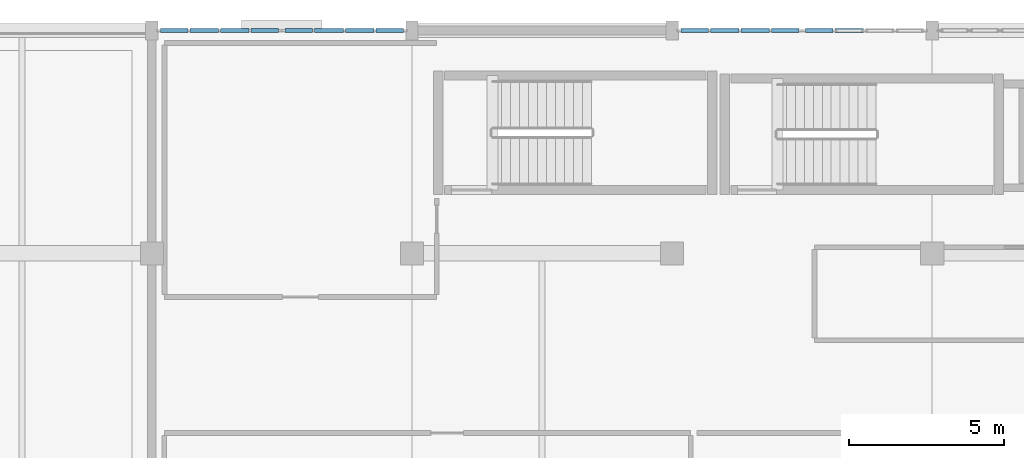
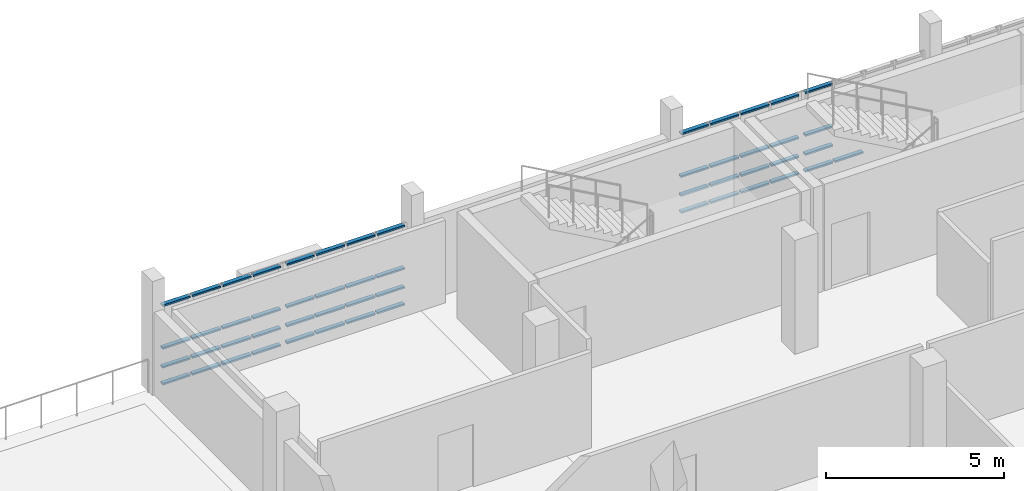
# One storey, part 152 of 188: 53 members, 4 elements without a shape of their own.
"""IFC4 building model written with IfcOpenShell, lengths in metres."""

import ifcopenshell
import ifcopenshell.guid

model = None  # the IFC model being written
_history = None  # IfcOwnerHistory: only IFC2X3 demands one
_inside = {}  # id of a spatial element -> (the spatial element, [elements in it])
_under = {}  # id of a project, library or spatial element -> (it, [spatial elements below it])
_declared = {}  # id of a project -> (the project, [libraries it declares])
_typed = {}  # id of a type object -> (the type object, [elements of that type])
_made_of = {}  # id of a material, layer set ... -> (it, [elements and type objects made of it])


def new_model(schema):
    """Start an empty IFC model of exactly this schema.

    Asked for "IFC4X3", IfcOpenShell would pick the latest addendum, in which some entities
    have other attributes; the version numbers below select the first issue.
    IFC2X3 requires an IfcOwnerHistory on every rooted entity: one is made here for all.
    """
    global model, _history
    if schema == "IFC4X3":
        model = ifcopenshell.file(schema_version=(4, 3, 0, 0))
    else:
        model = ifcopenshell.file(schema=schema)
    _inside.clear()
    _under.clear()
    _declared.clear()
    _typed.clear()
    _made_of.clear()
    _history = None
    if model.schema == "IFC2X3":
        org = make("IfcOrganization", Name="unknown")
        user = make(
            "IfcPersonAndOrganization",
            ThePerson=make("IfcPerson", FamilyName="unknown"),
            TheOrganization=org,
        )
        app = make(
            "IfcApplication",
            ApplicationDeveloper=org,
            Version="unknown",
            ApplicationFullName="unknown",
            ApplicationIdentifier="unknown",
        )
        _history = make(
            "IfcOwnerHistory",
            OwningUser=user,
            OwningApplication=app,
            ChangeAction="ADDED",
            CreationDate=0,
        )
    return model


def make(cls, **values):
    """One entity of the class cls with the attributes given. An attribute that is None is left unset."""
    return model.create_entity(
        cls, **{name: value for name, value in values.items() if value is not None}
    )


def rooted(cls, **values):
    """An entity with a GlobalId (a new one), such as an element, a storey or a relation."""
    return make(cls, GlobalId=ifcopenshell.guid.new(), OwnerHistory=_history, **values)


def si_unit(unit_type, name, prefix=None):
    """IfcSIUnit, for example si_unit("LENGTHUNIT", "METRE", prefix="MILLI")."""
    return make("IfcSIUnit", UnitType=unit_type, Prefix=prefix, Name=name)


def assignment(units):
    """IfcUnitAssignment: the units of a project."""
    return None if units is None else make("IfcUnitAssignment", Units=units)


def point(xyz):
    """IfcCartesianPoint."""
    return None if xyz is None else make("IfcCartesianPoint", Coordinates=xyz)


def direction(xyz):
    """IfcDirection."""
    return None if xyz is None else make("IfcDirection", DirectionRatios=xyz)


def frame(location, z_axis=None, x_axis=None):
    """IfcAxis2Placement3D, a coordinate frame: its origin and axes. An axis left out is left unset."""
    return make(
        "IfcAxis2Placement3D",
        Location=point(location),
        Axis=direction(z_axis),
        RefDirection=direction(x_axis),
    )


def frame_2d(location, x_axis=None):
    """IfcAxis2Placement2D, a coordinate frame in the plane: its origin and x axis."""
    return make(
        "IfcAxis2Placement2D", Location=point(location), RefDirection=direction(x_axis)
    )


def origin():
    """The frame at (0, 0, 0) with its axes left unset."""
    return frame((0.0, 0.0, 0.0))


def origin_2d():
    """The frame at (0, 0) in the plane with its x axis left unset."""
    return frame_2d((0.0, 0.0))


def place(relative_to, where):
    """IfcLocalPlacement: puts the frame where relative to a parent placement (None: the world)."""
    return make(
        "IfcLocalPlacement", PlacementRelTo=relative_to, RelativePlacement=where
    )


def context(
    kind, dimensions, precision=None, world=None, true_north=None, identifier=None
):
    """IfcGeometricRepresentationContext, for example the 3D "Model" context."""
    return make(
        "IfcGeometricRepresentationContext",
        ContextIdentifier=identifier,
        ContextType=kind,
        CoordinateSpaceDimension=dimensions,
        Precision=precision,
        WorldCoordinateSystem=world,
        TrueNorth=true_north,
    )


def subcontext(parent, identifier, kind, view, scale=None):
    """IfcGeometricRepresentationSubContext, for example "Body" below "Model"."""
    return make(
        "IfcGeometricRepresentationSubContext",
        ContextIdentifier=identifier,
        ContextType=kind,
        ParentContext=parent,
        TargetScale=scale,
        TargetView=view,
    )


def project(units=None, contexts=None):
    """IfcProject with its units and contexts."""
    return rooted(
        "IfcProject",
        Name="project",
        RepresentationContexts=contexts,
        UnitsInContext=assignment(units),
    )


def spatial(cls, under=None, at=None, **own):
    """A site, building, storey or space (cls), placed at a placement, below another one or the project."""
    s = rooted(cls, ObjectPlacement=at, **own)
    if under is not None:
        _under.setdefault(under.id(), (under, []))[1].append(s)
    return s


def profile(cls, at=None, kind="AREA", **sizes):
    """A parametric profile (cls). Its sizes go by their IFC names, for example OverallWidth=200.0."""
    return make(cls, ProfileType=kind, Position=at, **sizes)


def hollow_rectangle(**sizes):
    """IfcRectangleHollowProfileDef."""
    return profile("IfcRectangleHollowProfileDef", **sizes)


def extrude(swept, where, along, depth):
    """IfcExtrudedAreaSolid: the profile swept, set in the frame where, extruded along a direction by depth."""
    return make(
        "IfcExtrudedAreaSolid",
        SweptArea=swept,
        Position=where,
        ExtrudedDirection=direction(along),
        Depth=depth,
    )


def shape(context_of_items, identifier, shape_type, items):
    """IfcShapeRepresentation: the items that make up one representation, for example the "Body"."""
    return make(
        "IfcShapeRepresentation",
        ContextOfItems=context_of_items,
        RepresentationIdentifier=identifier,
        RepresentationType=shape_type,
        Items=items,
    )


def material(Name=None, Category=None):
    """IfcMaterial."""
    return make("IfcMaterial", Name=Name, Category=Category)


def layer(
    of_material, thickness, ventilated=None, Name=None, Category=None, Priority=None
):
    """IfcMaterialLayer: one layer of a wall or slab, of a material (None: an air gap)."""
    return make(
        "IfcMaterialLayer",
        Material=of_material,
        LayerThickness=thickness,
        IsVentilated=ventilated,
        Name=Name,
        Category=Category,
        Priority=Priority,
    )


def layer_set(layers, Name=None):
    """IfcMaterialLayerSet."""
    return make("IfcMaterialLayerSet", MaterialLayers=layers, LayerSetName=Name)


def material_profile(
    of_material, cross_section, Name=None, Category=None, Priority=None
):
    """IfcMaterialProfile: a cross section and its material."""
    return make(
        "IfcMaterialProfile",
        Name=Name,
        Material=of_material,
        Profile=cross_section,
        Priority=Priority,
        Category=Category,
    )


def profile_set(profiles, Name=None, composite=None):
    """IfcMaterialProfileSet."""
    return make(
        "IfcMaterialProfileSet",
        Name=Name,
        MaterialProfiles=profiles,
        CompositeProfile=composite,
    )


def made_of(thing, what):
    """Note that an element or type object is made of a material, layer set ...; save() writes the relation."""
    if what is not None:
        _made_of.setdefault(what.id(), (what, []))[1].append(thing)
    return thing


def type_object(cls, material=None, **own):
    """A type object (cls), such as IfcWallType, which elements share."""
    return made_of(rooted(cls, **own), material)


def element(
    cls,
    number,
    at=None,
    inside=None,
    cuts=None,
    type_object=None,
    material=None,
    context=None,
    identifier="Body",
    shape_type=None,
    held_by="IfcProductDefinitionShape",
    body=None,
    shapes=None,
    **own,
):
    """One element of the class cls, such as IfcWall. Its Tag is "e" and its number.

    at: its placement. inside: the storey or other place that contains it. cuts: it is an
    opening in that element (IfcRelVoidsElement). A single representation is given by context,
    identifier, shape_type and body (its items); several are given by shapes. held_by: the class
    of the entity that holds the representations. save() writes the other relations.
    """
    e = rooted(cls, Tag="e%d" % number, ObjectPlacement=at, **own)
    if body is not None:
        shapes = [shape(context, identifier, shape_type, body)]
    if shapes is not None:
        e.Representation = make(held_by, Representations=shapes)
    if inside is not None:
        _inside.setdefault(inside.id(), (inside, []))[1].append(e)
    if cuts is not None:
        rooted(
            "IfcRelVoidsElement", RelatingBuildingElement=cuts, RelatedOpeningElement=e
        )
    if type_object is not None:
        _typed.setdefault(type_object.id(), (type_object, []))[1].append(e)
    return made_of(e, material)


def aggregate(whole, parts):
    """IfcRelAggregates: a whole, such as a stair, and the parts it consists of."""
    return rooted("IfcRelAggregates", RelatingObject=whole, RelatedObjects=parts)


def save(model, path):
    """Write the relations noted so far, then the file.

    IfcRelAggregates (storeys below a building ...), IfcRelContainedInSpatialStructure (elements
    in a storey), IfcRelDefinesByType, IfcRelAssociatesMaterial and IfcRelDeclares: one each for
    every whole, place, type object, material and project.
    """
    for whole, parts in _under.values():
        aggregate(whole, parts)
    for where, things in _inside.values():
        rooted(
            "IfcRelContainedInSpatialStructure",
            RelatedElements=things,
            RelatingStructure=where,
        )
    for kind, things in _typed.values():
        rooted("IfcRelDefinesByType", RelatedObjects=things, RelatingType=kind)
    for what, things in _made_of.values():
        rooted("IfcRelAssociatesMaterial", RelatedObjects=things, RelatingMaterial=what)
    for by, libraries in _declared.values():
        rooted("IfcRelDeclares", RelatingContext=by, RelatedDefinitions=libraries)
    model.write(path)


model = new_model("IFC4")

# Units and contexts
model_context = context("Model", 3, precision=1e-05, world=origin(), true_north=direction((0.0, 1.0)))
body_context = subcontext(model_context, "Body", "Model", "MODEL_VIEW")
ifc_project = project(units=[si_unit("LENGTHUNIT", "METRE"), si_unit("AREAUNIT", "SQUARE_METRE"), si_unit("VOLUMEUNIT", "CUBIC_METRE"), si_unit("PLANEANGLEUNIT", "RADIAN"), si_unit("MASSUNIT", "GRAM", prefix="KILO")], contexts=[model_context])

# Site, building, storey
site_placement = place(None, origin())
site = spatial("IfcSite", under=ifc_project, at=site_placement, CompositionType="ELEMENT")
building_placement = place(site_placement, origin())
building = spatial("IfcBuilding", under=site, at=building_placement, Name="Kisaragi Civic Commons", CompositionType="ELEMENT")
storey_placement = place(building_placement, frame((0.0, 0.0, 9.60009765625)))
storey = spatial("IfcBuildingStorey", under=building, at=storey_placement, Name="L02", CompositionType="ELEMENT", Elevation=9.60009765625)

# Curtain wall, members
ifc_material = material(Name="Thermally broken anodized aluminium and low-E double glazing", Category="aluminium")
ifc_layer = layer(ifc_material, 0.179931640625, Name="Thermally broken anodized aluminium and low-E double glazing", Category="aluminium")
ifc_layer_set = layer_set([ifc_layer], Name="Thermally broken anodized aluminium and low-E double glazing")
curtain_wall_type = type_object("IfcCurtainWallType", Name="CW-01", PredefinedType="NOTDEFINED", material=ifc_layer_set)
curtain_wall_1_placement = place(storey_placement, origin())
curtain_wall_1 = element("IfcCurtainWall", 1, at=curtain_wall_1_placement, inside=storey, type_object=curtain_wall_type, Name="L02 curtain wall CW-01 CW-V4-L02-079", PredefinedType="NOTDEFINED")
ifc_material_profile = material_profile(ifc_material, hollow_rectangle(XDim=0.139892578125, YDim=0.06494140625, WallThickness=0.00439453125, InnerFilletRadius=0.00439453125, OuterFilletRadius=0.009033203125, at=origin_2d()), Name="CWT-65x140x4.5", Category="aluminium")
ifc_profile_set = profile_set([ifc_material_profile], Name="Thermally broken anodized aluminium and low-E double glazing")
member_type = type_object("IfcMemberType", Name="CWT-02", PredefinedType="USERDEFINED", material=ifc_profile_set)
member_1_placement = place(storey_placement, frame((80.679931640625, 118.800048828125, 0.06982421875), z_axis=(1.0, 0.0, 0.0), x_axis=(0.0, 1.0, 0.0)))
member_1 = element("IfcMember", 2, at=member_1_placement, type_object=member_type, Name="CW-01 transom 1.1", ObjectType="TRANSOM", PredefinedType="USERDEFINED", context=body_context, shape_type="SweptSolid", body=[
    extrude(hollow_rectangle(XDim=0.139892578125, YDim=0.06494140625, WallThickness=0.00439453125, InnerFilletRadius=0.00439453125, OuterFilletRadius=0.009033203125, at=origin_2d()), origin(), (0.0, 0.0, 1.0), 0.888916015625),
])
member_2_placement = place(storey_placement, frame((80.679931640625, 118.800048828125, 0.64990234375), z_axis=(1.0, 0.0, 0.0), x_axis=(0.0, 1.0, 0.0)))
member_2 = element("IfcMember", 3, at=member_2_placement, type_object=member_type, Name="CW-01 transom 1.2", ObjectType="TRANSOM", PredefinedType="USERDEFINED", context=body_context, shape_type="SweptSolid", body=[
    extrude(hollow_rectangle(XDim=0.139892578125, YDim=0.06494140625, WallThickness=0.00439453125, InnerFilletRadius=0.00439453125, OuterFilletRadius=0.009033203125, at=origin_2d()), origin(), (0.0, 0.0, 1.0), 0.888916015625),
])
member_3_placement = place(storey_placement, frame((80.679931640625, 118.800048828125, 1.2998046875), z_axis=(1.0, 0.0, 0.0), x_axis=(0.0, 1.0, 0.0)))
member_3 = element("IfcMember", 4, at=member_3_placement, type_object=member_type, Name="CW-01 transom 1.3", ObjectType="TRANSOM", PredefinedType="USERDEFINED", context=body_context, shape_type="SweptSolid", body=[
    extrude(hollow_rectangle(XDim=0.139892578125, YDim=0.06494140625, WallThickness=0.00439453125, InnerFilletRadius=0.00439453125, OuterFilletRadius=0.009033203125, at=origin_2d()), origin(), (0.0, 0.0, 1.0), 0.888916015625),
])
member_4_placement = place(storey_placement, frame((80.679931640625, 118.800048828125, 2.760009765625), z_axis=(1.0, 0.0, 0.0), x_axis=(0.0, 1.0, 0.0)))
member_4 = element("IfcMember", 5, at=member_4_placement, type_object=member_type, Name="CW-01 transom 1.4", ObjectType="TRANSOM", PredefinedType="USERDEFINED", context=body_context, shape_type="SweptSolid", body=[
    extrude(hollow_rectangle(XDim=0.139892578125, YDim=0.06494140625, WallThickness=0.00439453125, InnerFilletRadius=0.00439453125, OuterFilletRadius=0.009033203125, at=origin_2d()), origin(), (0.0, 0.0, 1.0), 0.888916015625),
])
member_5_placement = place(storey_placement, frame((81.6337890625, 118.800048828125, 0.06982421875), z_axis=(1.0, 0.0, 0.0), x_axis=(0.0, 1.0, 0.0)))
member_5 = element("IfcMember", 6, at=member_5_placement, type_object=member_type, Name="CW-01 transom 2.1", ObjectType="TRANSOM", PredefinedType="USERDEFINED", context=body_context, shape_type="SweptSolid", body=[
    extrude(hollow_rectangle(XDim=0.139892578125, YDim=0.06494140625, WallThickness=0.00439453125, InnerFilletRadius=0.00439453125, OuterFilletRadius=0.009033203125, at=origin_2d()), origin(), (0.0, 0.0, 1.0), 0.921142578125),
])
member_6_placement = place(storey_placement, frame((81.6337890625, 118.800048828125, 0.64990234375), z_axis=(1.0, 0.0, 0.0), x_axis=(0.0, 1.0, 0.0)))
member_6 = element("IfcMember", 7, at=member_6_placement, type_object=member_type, Name="CW-01 transom 2.2", ObjectType="TRANSOM", PredefinedType="USERDEFINED", context=body_context, shape_type="SweptSolid", body=[
    extrude(hollow_rectangle(XDim=0.139892578125, YDim=0.06494140625, WallThickness=0.00439453125, InnerFilletRadius=0.00439453125, OuterFilletRadius=0.009033203125, at=origin_2d()), origin(), (0.0, 0.0, 1.0), 0.921142578125),
])
member_7_placement = place(storey_placement, frame((81.6337890625, 118.800048828125, 1.2998046875), z_axis=(1.0, 0.0, 0.0), x_axis=(0.0, 1.0, 0.0)))
member_7 = element("IfcMember", 8, at=member_7_placement, type_object=member_type, Name="CW-01 transom 2.3", ObjectType="TRANSOM", PredefinedType="USERDEFINED", context=body_context, shape_type="SweptSolid", body=[
    extrude(hollow_rectangle(XDim=0.139892578125, YDim=0.06494140625, WallThickness=0.00439453125, InnerFilletRadius=0.00439453125, OuterFilletRadius=0.009033203125, at=origin_2d()), origin(), (0.0, 0.0, 1.0), 0.921142578125),
])
member_8_placement = place(storey_placement, frame((81.6337890625, 118.800048828125, 2.760009765625), z_axis=(1.0, 0.0, 0.0), x_axis=(0.0, 1.0, 0.0)))
member_8 = element("IfcMember", 9, at=member_8_placement, type_object=member_type, Name="CW-01 transom 2.4", ObjectType="TRANSOM", PredefinedType="USERDEFINED", context=body_context, shape_type="SweptSolid", body=[
    extrude(hollow_rectangle(XDim=0.139892578125, YDim=0.06494140625, WallThickness=0.00439453125, InnerFilletRadius=0.00439453125, OuterFilletRadius=0.009033203125, at=origin_2d()), origin(), (0.0, 0.0, 1.0), 0.921142578125),
])
member_9_placement = place(storey_placement, frame((82.6201171875, 118.800048828125, 0.06982421875), z_axis=(1.0, 0.0, 0.0), x_axis=(0.0, 1.0, 0.0)))
member_9 = element("IfcMember", 10, at=member_9_placement, type_object=member_type, Name="CW-01 transom 3.1", ObjectType="TRANSOM", PredefinedType="USERDEFINED", context=body_context, shape_type="SweptSolid", body=[
    extrude(hollow_rectangle(XDim=0.139892578125, YDim=0.06494140625, WallThickness=0.00439453125, InnerFilletRadius=0.00439453125, OuterFilletRadius=0.009033203125, at=origin_2d()), origin(), (0.0, 0.0, 1.0), 0.921142578125),
])
member_10_placement = place(storey_placement, frame((82.6201171875, 118.800048828125, 0.64990234375), z_axis=(1.0, 0.0, 0.0), x_axis=(0.0, 1.0, 0.0)))
member_10 = element("IfcMember", 11, at=member_10_placement, type_object=member_type, Name="CW-01 transom 3.2", ObjectType="TRANSOM", PredefinedType="USERDEFINED", context=body_context, shape_type="SweptSolid", body=[
    extrude(hollow_rectangle(XDim=0.139892578125, YDim=0.06494140625, WallThickness=0.00439453125, InnerFilletRadius=0.00439453125, OuterFilletRadius=0.009033203125, at=origin_2d()), origin(), (0.0, 0.0, 1.0), 0.921142578125),
])
member_11_placement = place(storey_placement, frame((82.6201171875, 118.800048828125, 1.2998046875), z_axis=(1.0, 0.0, 0.0), x_axis=(0.0, 1.0, 0.0)))
member_11 = element("IfcMember", 12, at=member_11_placement, type_object=member_type, Name="CW-01 transom 3.3", ObjectType="TRANSOM", PredefinedType="USERDEFINED", context=body_context, shape_type="SweptSolid", body=[
    extrude(hollow_rectangle(XDim=0.139892578125, YDim=0.06494140625, WallThickness=0.00439453125, InnerFilletRadius=0.00439453125, OuterFilletRadius=0.009033203125, at=origin_2d()), origin(), (0.0, 0.0, 1.0), 0.921142578125),
])
member_12_placement = place(storey_placement, frame((82.6201171875, 118.800048828125, 2.760009765625), z_axis=(1.0, 0.0, 0.0), x_axis=(0.0, 1.0, 0.0)))
member_12 = element("IfcMember", 13, at=member_12_placement, type_object=member_type, Name="CW-01 transom 3.4", ObjectType="TRANSOM", PredefinedType="USERDEFINED", context=body_context, shape_type="SweptSolid", body=[
    extrude(hollow_rectangle(XDim=0.139892578125, YDim=0.06494140625, WallThickness=0.00439453125, InnerFilletRadius=0.00439453125, OuterFilletRadius=0.009033203125, at=origin_2d()), origin(), (0.0, 0.0, 1.0), 0.921142578125),
])
member_13_placement = place(storey_placement, frame((83.606201171875, 118.800048828125, 0.06982421875), z_axis=(1.0, 0.0, 0.0), x_axis=(0.0, 1.0, 0.0)))
member_13 = element("IfcMember", 14, at=member_13_placement, type_object=member_type, Name="CW-01 transom 4.1", ObjectType="TRANSOM", PredefinedType="USERDEFINED", context=body_context, shape_type="SweptSolid", body=[
    extrude(hollow_rectangle(XDim=0.139892578125, YDim=0.06494140625, WallThickness=0.00439453125, InnerFilletRadius=0.00439453125, OuterFilletRadius=0.009033203125, at=origin_2d()), origin(), (0.0, 0.0, 1.0), 0.888916015625),
])
member_14_placement = place(storey_placement, frame((83.606201171875, 118.800048828125, 0.64990234375), z_axis=(1.0, 0.0, 0.0), x_axis=(0.0, 1.0, 0.0)))
member_14 = element("IfcMember", 15, at=member_14_placement, type_object=member_type, Name="CW-01 transom 4.2", ObjectType="TRANSOM", PredefinedType="USERDEFINED", context=body_context, shape_type="SweptSolid", body=[
    extrude(hollow_rectangle(XDim=0.139892578125, YDim=0.06494140625, WallThickness=0.00439453125, InnerFilletRadius=0.00439453125, OuterFilletRadius=0.009033203125, at=origin_2d()), origin(), (0.0, 0.0, 1.0), 0.888916015625),
])
member_15_placement = place(storey_placement, frame((83.606201171875, 118.800048828125, 1.2998046875), z_axis=(1.0, 0.0, 0.0), x_axis=(0.0, 1.0, 0.0)))
member_15 = element("IfcMember", 16, at=member_15_placement, type_object=member_type, Name="CW-01 transom 4.3", ObjectType="TRANSOM", PredefinedType="USERDEFINED", context=body_context, shape_type="SweptSolid", body=[
    extrude(hollow_rectangle(XDim=0.139892578125, YDim=0.06494140625, WallThickness=0.00439453125, InnerFilletRadius=0.00439453125, OuterFilletRadius=0.009033203125, at=origin_2d()), origin(), (0.0, 0.0, 1.0), 0.888916015625),
])
member_16_placement = place(storey_placement, frame((83.606201171875, 118.800048828125, 2.760009765625), z_axis=(1.0, 0.0, 0.0), x_axis=(0.0, 1.0, 0.0)))
member_16 = element("IfcMember", 17, at=member_16_placement, type_object=member_type, Name="CW-01 transom 4.4", ObjectType="TRANSOM", PredefinedType="USERDEFINED", context=body_context, shape_type="SweptSolid", body=[
    extrude(hollow_rectangle(XDim=0.139892578125, YDim=0.06494140625, WallThickness=0.00439453125, InnerFilletRadius=0.00439453125, OuterFilletRadius=0.009033203125, at=origin_2d()), origin(), (0.0, 0.0, 1.0), 0.888916015625),
])
aggregate(curtain_wall_1, [member_1, member_2, member_3, member_4, member_5, member_6, member_7, member_8, member_9, member_10, member_11, member_12, member_13, member_14, member_15, member_16])

curtain_wall_2_placement = place(storey_placement, origin())
curtain_wall_2 = element("IfcCurtainWall", 18, at=curtain_wall_2_placement, inside=storey, type_object=curtain_wall_type, Name="L02 curtain wall CW-01 CW-V4-L02-080", PredefinedType="NOTDEFINED")
member_17_placement = place(storey_placement, frame((84.705078125, 118.800048828125, 0.06982421875), z_axis=(1.0, 0.0, 0.0), x_axis=(0.0, 1.0, 0.0)))
member_17 = element("IfcMember", 19, at=member_17_placement, type_object=member_type, Name="CW-01 transom 1.1", ObjectType="TRANSOM", PredefinedType="USERDEFINED", context=body_context, shape_type="SweptSolid", body=[
    extrude(hollow_rectangle(XDim=0.139892578125, YDim=0.06494140625, WallThickness=0.00439453125, InnerFilletRadius=0.00439453125, OuterFilletRadius=0.009033203125, at=origin_2d()), origin(), (0.0, 0.0, 1.0), 0.888671875),
])
member_18_placement = place(storey_placement, frame((84.705078125, 118.800048828125, 0.64990234375), z_axis=(1.0, 0.0, 0.0), x_axis=(0.0, 1.0, 0.0)))
member_18 = element("IfcMember", 20, at=member_18_placement, type_object=member_type, Name="CW-01 transom 1.2", ObjectType="TRANSOM", PredefinedType="USERDEFINED", context=body_context, shape_type="SweptSolid", body=[
    extrude(hollow_rectangle(XDim=0.139892578125, YDim=0.06494140625, WallThickness=0.00439453125, InnerFilletRadius=0.00439453125, OuterFilletRadius=0.009033203125, at=origin_2d()), origin(), (0.0, 0.0, 1.0), 0.888671875),
])
member_19_placement = place(storey_placement, frame((84.705078125, 118.800048828125, 1.2998046875), z_axis=(1.0, 0.0, 0.0), x_axis=(0.0, 1.0, 0.0)))
member_19 = element("IfcMember", 21, at=member_19_placement, type_object=member_type, Name="CW-01 transom 1.3", ObjectType="TRANSOM", PredefinedType="USERDEFINED", context=body_context, shape_type="SweptSolid", body=[
    extrude(hollow_rectangle(XDim=0.139892578125, YDim=0.06494140625, WallThickness=0.00439453125, InnerFilletRadius=0.00439453125, OuterFilletRadius=0.009033203125, at=origin_2d()), origin(), (0.0, 0.0, 1.0), 0.888671875),
])
member_20_placement = place(storey_placement, frame((84.705078125, 118.800048828125, 2.760009765625), z_axis=(1.0, 0.0, 0.0), x_axis=(0.0, 1.0, 0.0)))
member_20 = element("IfcMember", 22, at=member_20_placement, type_object=member_type, Name="CW-01 transom 1.4", ObjectType="TRANSOM", PredefinedType="USERDEFINED", context=body_context, shape_type="SweptSolid", body=[
    extrude(hollow_rectangle(XDim=0.139892578125, YDim=0.06494140625, WallThickness=0.00439453125, InnerFilletRadius=0.00439453125, OuterFilletRadius=0.009033203125, at=origin_2d()), origin(), (0.0, 0.0, 1.0), 0.888671875),
])
member_21_placement = place(storey_placement, frame((85.65869140625, 118.800048828125, 0.06982421875), z_axis=(1.0, 0.0, 0.0), x_axis=(0.0, 1.0, 0.0)))
member_21 = element("IfcMember", 23, at=member_21_placement, type_object=member_type, Name="CW-01 transom 2.1", ObjectType="TRANSOM", PredefinedType="USERDEFINED", context=body_context, shape_type="SweptSolid", body=[
    extrude(hollow_rectangle(XDim=0.139892578125, YDim=0.06494140625, WallThickness=0.00439453125, InnerFilletRadius=0.00439453125, OuterFilletRadius=0.009033203125, at=origin_2d()), origin(), (0.0, 0.0, 1.0), 0.92138671875),
])
member_22_placement = place(storey_placement, frame((85.65869140625, 118.800048828125, 0.64990234375), z_axis=(1.0, 0.0, 0.0), x_axis=(0.0, 1.0, 0.0)))
member_22 = element("IfcMember", 24, at=member_22_placement, type_object=member_type, Name="CW-01 transom 2.2", ObjectType="TRANSOM", PredefinedType="USERDEFINED", context=body_context, shape_type="SweptSolid", body=[
    extrude(hollow_rectangle(XDim=0.139892578125, YDim=0.06494140625, WallThickness=0.00439453125, InnerFilletRadius=0.00439453125, OuterFilletRadius=0.009033203125, at=origin_2d()), origin(), (0.0, 0.0, 1.0), 0.92138671875),
])
member_23_placement = place(storey_placement, frame((85.65869140625, 118.800048828125, 1.2998046875), z_axis=(1.0, 0.0, 0.0), x_axis=(0.0, 1.0, 0.0)))
member_23 = element("IfcMember", 25, at=member_23_placement, type_object=member_type, Name="CW-01 transom 2.3", ObjectType="TRANSOM", PredefinedType="USERDEFINED", context=body_context, shape_type="SweptSolid", body=[
    extrude(hollow_rectangle(XDim=0.139892578125, YDim=0.06494140625, WallThickness=0.00439453125, InnerFilletRadius=0.00439453125, OuterFilletRadius=0.009033203125, at=origin_2d()), origin(), (0.0, 0.0, 1.0), 0.92138671875),
])
member_24_placement = place(storey_placement, frame((85.65869140625, 118.800048828125, 2.760009765625), z_axis=(1.0, 0.0, 0.0), x_axis=(0.0, 1.0, 0.0)))
member_24 = element("IfcMember", 26, at=member_24_placement, type_object=member_type, Name="CW-01 transom 2.4", ObjectType="TRANSOM", PredefinedType="USERDEFINED", context=body_context, shape_type="SweptSolid", body=[
    extrude(hollow_rectangle(XDim=0.139892578125, YDim=0.06494140625, WallThickness=0.00439453125, InnerFilletRadius=0.00439453125, OuterFilletRadius=0.009033203125, at=origin_2d()), origin(), (0.0, 0.0, 1.0), 0.92138671875),
])
member_25_placement = place(storey_placement, frame((86.64501953125, 118.800048828125, 0.06982421875), z_axis=(1.0, 0.0, 0.0), x_axis=(0.0, 1.0, 0.0)))
member_25 = element("IfcMember", 27, at=member_25_placement, type_object=member_type, Name="CW-01 transom 3.1", ObjectType="TRANSOM", PredefinedType="USERDEFINED", context=body_context, shape_type="SweptSolid", body=[
    extrude(hollow_rectangle(XDim=0.139892578125, YDim=0.06494140625, WallThickness=0.00439453125, InnerFilletRadius=0.00439453125, OuterFilletRadius=0.009033203125, at=origin_2d()), origin(), (0.0, 0.0, 1.0), 0.921142578125),
])
member_26_placement = place(storey_placement, frame((86.64501953125, 118.800048828125, 0.64990234375), z_axis=(1.0, 0.0, 0.0), x_axis=(0.0, 1.0, 0.0)))
member_26 = element("IfcMember", 28, at=member_26_placement, type_object=member_type, Name="CW-01 transom 3.2", ObjectType="TRANSOM", PredefinedType="USERDEFINED", context=body_context, shape_type="SweptSolid", body=[
    extrude(hollow_rectangle(XDim=0.139892578125, YDim=0.06494140625, WallThickness=0.00439453125, InnerFilletRadius=0.00439453125, OuterFilletRadius=0.009033203125, at=origin_2d()), origin(), (0.0, 0.0, 1.0), 0.921142578125),
])
member_27_placement = place(storey_placement, frame((86.64501953125, 118.800048828125, 1.2998046875), z_axis=(1.0, 0.0, 0.0), x_axis=(0.0, 1.0, 0.0)))
member_27 = element("IfcMember", 29, at=member_27_placement, type_object=member_type, Name="CW-01 transom 3.3", ObjectType="TRANSOM", PredefinedType="USERDEFINED", context=body_context, shape_type="SweptSolid", body=[
    extrude(hollow_rectangle(XDim=0.139892578125, YDim=0.06494140625, WallThickness=0.00439453125, InnerFilletRadius=0.00439453125, OuterFilletRadius=0.009033203125, at=origin_2d()), origin(), (0.0, 0.0, 1.0), 0.921142578125),
])
member_28_placement = place(storey_placement, frame((86.64501953125, 118.800048828125, 2.760009765625), z_axis=(1.0, 0.0, 0.0), x_axis=(0.0, 1.0, 0.0)))
member_28 = element("IfcMember", 30, at=member_28_placement, type_object=member_type, Name="CW-01 transom 3.4", ObjectType="TRANSOM", PredefinedType="USERDEFINED", context=body_context, shape_type="SweptSolid", body=[
    extrude(hollow_rectangle(XDim=0.139892578125, YDim=0.06494140625, WallThickness=0.00439453125, InnerFilletRadius=0.00439453125, OuterFilletRadius=0.009033203125, at=origin_2d()), origin(), (0.0, 0.0, 1.0), 0.921142578125),
])
member_29_placement = place(storey_placement, frame((87.63134765625, 118.800048828125, 0.06982421875), z_axis=(1.0, 0.0, 0.0), x_axis=(0.0, 1.0, 0.0)))
member_29 = element("IfcMember", 31, at=member_29_placement, type_object=member_type, Name="CW-01 transom 4.1", ObjectType="TRANSOM", PredefinedType="USERDEFINED", context=body_context, shape_type="SweptSolid", body=[
    extrude(hollow_rectangle(XDim=0.139892578125, YDim=0.06494140625, WallThickness=0.00439453125, InnerFilletRadius=0.00439453125, OuterFilletRadius=0.009033203125, at=origin_2d()), origin(), (0.0, 0.0, 1.0), 0.888671875),
])
member_30_placement = place(storey_placement, frame((87.63134765625, 118.800048828125, 0.64990234375), z_axis=(1.0, 0.0, 0.0), x_axis=(0.0, 1.0, 0.0)))
member_30 = element("IfcMember", 32, at=member_30_placement, type_object=member_type, Name="CW-01 transom 4.2", ObjectType="TRANSOM", PredefinedType="USERDEFINED", context=body_context, shape_type="SweptSolid", body=[
    extrude(hollow_rectangle(XDim=0.139892578125, YDim=0.06494140625, WallThickness=0.00439453125, InnerFilletRadius=0.00439453125, OuterFilletRadius=0.009033203125, at=origin_2d()), origin(), (0.0, 0.0, 1.0), 0.888671875),
])
member_31_placement = place(storey_placement, frame((87.63134765625, 118.800048828125, 1.2998046875), z_axis=(1.0, 0.0, 0.0), x_axis=(0.0, 1.0, 0.0)))
member_31 = element("IfcMember", 33, at=member_31_placement, type_object=member_type, Name="CW-01 transom 4.3", ObjectType="TRANSOM", PredefinedType="USERDEFINED", context=body_context, shape_type="SweptSolid", body=[
    extrude(hollow_rectangle(XDim=0.139892578125, YDim=0.06494140625, WallThickness=0.00439453125, InnerFilletRadius=0.00439453125, OuterFilletRadius=0.009033203125, at=origin_2d()), origin(), (0.0, 0.0, 1.0), 0.888671875),
])
member_32_placement = place(storey_placement, frame((87.63134765625, 118.800048828125, 2.760009765625), z_axis=(1.0, 0.0, 0.0), x_axis=(0.0, 1.0, 0.0)))
member_32 = element("IfcMember", 34, at=member_32_placement, type_object=member_type, Name="CW-01 transom 4.4", ObjectType="TRANSOM", PredefinedType="USERDEFINED", context=body_context, shape_type="SweptSolid", body=[
    extrude(hollow_rectangle(XDim=0.139892578125, YDim=0.06494140625, WallThickness=0.00439453125, InnerFilletRadius=0.00439453125, OuterFilletRadius=0.009033203125, at=origin_2d()), origin(), (0.0, 0.0, 1.0), 0.888671875),
])
aggregate(curtain_wall_2, [member_17, member_18, member_19, member_20, member_21, member_22, member_23, member_24, member_25, member_26, member_27, member_28, member_29, member_30, member_31, member_32])

curtain_wall_3_placement = place(storey_placement, origin())
curtain_wall_3 = element("IfcCurtainWall", 35, at=curtain_wall_3_placement, inside=storey, type_object=curtain_wall_type, Name="L02 curtain wall CW-01 CW-V4-L02-081", PredefinedType="NOTDEFINED")
member_33_placement = place(storey_placement, frame((97.47998046875, 118.800048828125, 0.06982421875), z_axis=(1.0, 0.0, 0.0), x_axis=(0.0, 1.0, 0.0)))
member_33 = element("IfcMember", 36, at=member_33_placement, type_object=member_type, Name="CW-01 transom 1.1", ObjectType="TRANSOM", PredefinedType="USERDEFINED", context=body_context, shape_type="SweptSolid", body=[
    extrude(hollow_rectangle(XDim=0.139892578125, YDim=0.06494140625, WallThickness=0.00439453125, InnerFilletRadius=0.00439453125, OuterFilletRadius=0.009033203125, at=origin_2d()), origin(), (0.0, 0.0, 1.0), 0.888671875),
])
member_34_placement = place(storey_placement, frame((97.47998046875, 118.800048828125, 0.64990234375), z_axis=(1.0, 0.0, 0.0), x_axis=(0.0, 1.0, 0.0)))
member_34 = element("IfcMember", 37, at=member_34_placement, type_object=member_type, Name="CW-01 transom 1.2", ObjectType="TRANSOM", PredefinedType="USERDEFINED", context=body_context, shape_type="SweptSolid", body=[
    extrude(hollow_rectangle(XDim=0.139892578125, YDim=0.06494140625, WallThickness=0.00439453125, InnerFilletRadius=0.00439453125, OuterFilletRadius=0.009033203125, at=origin_2d()), origin(), (0.0, 0.0, 1.0), 0.888671875),
])
member_35_placement = place(storey_placement, frame((97.47998046875, 118.800048828125, 1.2998046875), z_axis=(1.0, 0.0, 0.0), x_axis=(0.0, 1.0, 0.0)))
member_35 = element("IfcMember", 38, at=member_35_placement, type_object=member_type, Name="CW-01 transom 1.3", ObjectType="TRANSOM", PredefinedType="USERDEFINED", context=body_context, shape_type="SweptSolid", body=[
    extrude(hollow_rectangle(XDim=0.139892578125, YDim=0.06494140625, WallThickness=0.00439453125, InnerFilletRadius=0.00439453125, OuterFilletRadius=0.009033203125, at=origin_2d()), origin(), (0.0, 0.0, 1.0), 0.888671875),
])
member_36_placement = place(storey_placement, frame((97.47998046875, 118.800048828125, 2.760009765625), z_axis=(1.0, 0.0, 0.0), x_axis=(0.0, 1.0, 0.0)))
member_36 = element("IfcMember", 39, at=member_36_placement, type_object=member_type, Name="CW-01 transom 1.4", ObjectType="TRANSOM", PredefinedType="USERDEFINED", context=body_context, shape_type="SweptSolid", body=[
    extrude(hollow_rectangle(XDim=0.139892578125, YDim=0.06494140625, WallThickness=0.00439453125, InnerFilletRadius=0.00439453125, OuterFilletRadius=0.009033203125, at=origin_2d()), origin(), (0.0, 0.0, 1.0), 0.888671875),
])
member_37_placement = place(storey_placement, frame((98.433837890625, 118.800048828125, 0.06982421875), z_axis=(1.0, 0.0, 0.0), x_axis=(0.0, 1.0, 0.0)))
member_37 = element("IfcMember", 40, at=member_37_placement, type_object=member_type, Name="CW-01 transom 2.1", ObjectType="TRANSOM", PredefinedType="USERDEFINED", context=body_context, shape_type="SweptSolid", body=[
    extrude(hollow_rectangle(XDim=0.139892578125, YDim=0.06494140625, WallThickness=0.00439453125, InnerFilletRadius=0.00439453125, OuterFilletRadius=0.009033203125, at=origin_2d()), origin(), (0.0, 0.0, 1.0), 0.921142578125),
])
member_38_placement = place(storey_placement, frame((98.433837890625, 118.800048828125, 0.64990234375), z_axis=(1.0, 0.0, 0.0), x_axis=(0.0, 1.0, 0.0)))
member_38 = element("IfcMember", 41, at=member_38_placement, type_object=member_type, Name="CW-01 transom 2.2", ObjectType="TRANSOM", PredefinedType="USERDEFINED", context=body_context, shape_type="SweptSolid", body=[
    extrude(hollow_rectangle(XDim=0.139892578125, YDim=0.06494140625, WallThickness=0.00439453125, InnerFilletRadius=0.00439453125, OuterFilletRadius=0.009033203125, at=origin_2d()), origin(), (0.0, 0.0, 1.0), 0.921142578125),
])
member_39_placement = place(storey_placement, frame((98.433837890625, 118.800048828125, 1.2998046875), z_axis=(1.0, 0.0, 0.0), x_axis=(0.0, 1.0, 0.0)))
member_39 = element("IfcMember", 42, at=member_39_placement, type_object=member_type, Name="CW-01 transom 2.3", ObjectType="TRANSOM", PredefinedType="USERDEFINED", context=body_context, shape_type="SweptSolid", body=[
    extrude(hollow_rectangle(XDim=0.139892578125, YDim=0.06494140625, WallThickness=0.00439453125, InnerFilletRadius=0.00439453125, OuterFilletRadius=0.009033203125, at=origin_2d()), origin(), (0.0, 0.0, 1.0), 0.921142578125),
])
member_40_placement = place(storey_placement, frame((98.433837890625, 118.800048828125, 2.760009765625), z_axis=(1.0, 0.0, 0.0), x_axis=(0.0, 1.0, 0.0)))
member_40 = element("IfcMember", 43, at=member_40_placement, type_object=member_type, Name="CW-01 transom 2.4", ObjectType="TRANSOM", PredefinedType="USERDEFINED", context=body_context, shape_type="SweptSolid", body=[
    extrude(hollow_rectangle(XDim=0.139892578125, YDim=0.06494140625, WallThickness=0.00439453125, InnerFilletRadius=0.00439453125, OuterFilletRadius=0.009033203125, at=origin_2d()), origin(), (0.0, 0.0, 1.0), 0.921142578125),
])
member_41_placement = place(storey_placement, frame((99.419921875, 118.800048828125, 0.06982421875), z_axis=(1.0, 0.0, 0.0), x_axis=(0.0, 1.0, 0.0)))
member_41 = element("IfcMember", 44, at=member_41_placement, type_object=member_type, Name="CW-01 transom 3.1", ObjectType="TRANSOM", PredefinedType="USERDEFINED", context=body_context, shape_type="SweptSolid", body=[
    extrude(hollow_rectangle(XDim=0.139892578125, YDim=0.06494140625, WallThickness=0.00439453125, InnerFilletRadius=0.00439453125, OuterFilletRadius=0.009033203125, at=origin_2d()), origin(), (0.0, 0.0, 1.0), 0.92138671875),
])
member_42_placement = place(storey_placement, frame((99.419921875, 118.800048828125, 0.64990234375), z_axis=(1.0, 0.0, 0.0), x_axis=(0.0, 1.0, 0.0)))
member_42 = element("IfcMember", 45, at=member_42_placement, type_object=member_type, Name="CW-01 transom 3.2", ObjectType="TRANSOM", PredefinedType="USERDEFINED", context=body_context, shape_type="SweptSolid", body=[
    extrude(hollow_rectangle(XDim=0.139892578125, YDim=0.06494140625, WallThickness=0.00439453125, InnerFilletRadius=0.00439453125, OuterFilletRadius=0.009033203125, at=origin_2d()), origin(), (0.0, 0.0, 1.0), 0.92138671875),
])
member_43_placement = place(storey_placement, frame((99.419921875, 118.800048828125, 1.2998046875), z_axis=(1.0, 0.0, 0.0), x_axis=(0.0, 1.0, 0.0)))
member_43 = element("IfcMember", 46, at=member_43_placement, type_object=member_type, Name="CW-01 transom 3.3", ObjectType="TRANSOM", PredefinedType="USERDEFINED", context=body_context, shape_type="SweptSolid", body=[
    extrude(hollow_rectangle(XDim=0.139892578125, YDim=0.06494140625, WallThickness=0.00439453125, InnerFilletRadius=0.00439453125, OuterFilletRadius=0.009033203125, at=origin_2d()), origin(), (0.0, 0.0, 1.0), 0.92138671875),
])
member_44_placement = place(storey_placement, frame((99.419921875, 118.800048828125, 2.760009765625), z_axis=(1.0, 0.0, 0.0), x_axis=(0.0, 1.0, 0.0)))
member_44 = element("IfcMember", 47, at=member_44_placement, type_object=member_type, Name="CW-01 transom 3.4", ObjectType="TRANSOM", PredefinedType="USERDEFINED", context=body_context, shape_type="SweptSolid", body=[
    extrude(hollow_rectangle(XDim=0.139892578125, YDim=0.06494140625, WallThickness=0.00439453125, InnerFilletRadius=0.00439453125, OuterFilletRadius=0.009033203125, at=origin_2d()), origin(), (0.0, 0.0, 1.0), 0.92138671875),
])
member_45_placement = place(storey_placement, frame((100.40625, 118.800048828125, 0.06982421875), z_axis=(1.0, 0.0, 0.0), x_axis=(0.0, 1.0, 0.0)))
member_45 = element("IfcMember", 48, at=member_45_placement, type_object=member_type, Name="CW-01 transom 4.1", ObjectType="TRANSOM", PredefinedType="USERDEFINED", context=body_context, shape_type="SweptSolid", body=[
    extrude(hollow_rectangle(XDim=0.139892578125, YDim=0.06494140625, WallThickness=0.00439453125, InnerFilletRadius=0.00439453125, OuterFilletRadius=0.009033203125, at=origin_2d()), origin(), (0.0, 0.0, 1.0), 0.888671875),
])
member_46_placement = place(storey_placement, frame((100.40625, 118.800048828125, 0.64990234375), z_axis=(1.0, 0.0, 0.0), x_axis=(0.0, 1.0, 0.0)))
member_46 = element("IfcMember", 49, at=member_46_placement, type_object=member_type, Name="CW-01 transom 4.2", ObjectType="TRANSOM", PredefinedType="USERDEFINED", context=body_context, shape_type="SweptSolid", body=[
    extrude(hollow_rectangle(XDim=0.139892578125, YDim=0.06494140625, WallThickness=0.00439453125, InnerFilletRadius=0.00439453125, OuterFilletRadius=0.009033203125, at=origin_2d()), origin(), (0.0, 0.0, 1.0), 0.888671875),
])
member_47_placement = place(storey_placement, frame((100.40625, 118.800048828125, 1.2998046875), z_axis=(1.0, 0.0, 0.0), x_axis=(0.0, 1.0, 0.0)))
member_47 = element("IfcMember", 50, at=member_47_placement, type_object=member_type, Name="CW-01 transom 4.3", ObjectType="TRANSOM", PredefinedType="USERDEFINED", context=body_context, shape_type="SweptSolid", body=[
    extrude(hollow_rectangle(XDim=0.139892578125, YDim=0.06494140625, WallThickness=0.00439453125, InnerFilletRadius=0.00439453125, OuterFilletRadius=0.009033203125, at=origin_2d()), origin(), (0.0, 0.0, 1.0), 0.888671875),
])
member_48_placement = place(storey_placement, frame((100.40625, 118.800048828125, 2.760009765625), z_axis=(1.0, 0.0, 0.0), x_axis=(0.0, 1.0, 0.0)))
member_48 = element("IfcMember", 51, at=member_48_placement, type_object=member_type, Name="CW-01 transom 4.4", ObjectType="TRANSOM", PredefinedType="USERDEFINED", context=body_context, shape_type="SweptSolid", body=[
    extrude(hollow_rectangle(XDim=0.139892578125, YDim=0.06494140625, WallThickness=0.00439453125, InnerFilletRadius=0.00439453125, OuterFilletRadius=0.009033203125, at=origin_2d()), origin(), (0.0, 0.0, 1.0), 0.888671875),
])
aggregate(curtain_wall_3, [member_33, member_34, member_35, member_36, member_37, member_38, member_39, member_40, member_41, member_42, member_43, member_44, member_45, member_46, member_47, member_48])

curtain_wall_4_placement = place(storey_placement, origin())
curtain_wall_4 = element("IfcCurtainWall", 52, at=curtain_wall_4_placement, inside=storey, type_object=curtain_wall_type, Name="L02 curtain wall CW-01 CW-V4-L02-082", PredefinedType="NOTDEFINED")
member_49_placement = place(storey_placement, frame((101.5048828125, 118.800048828125, 0.06982421875), z_axis=(1.0, 0.0, 0.0), x_axis=(0.0, 1.0, 0.0)))
member_49 = element("IfcMember", 53, at=member_49_placement, type_object=member_type, Name="CW-01 transom 1.1", ObjectType="TRANSOM", PredefinedType="USERDEFINED", context=body_context, shape_type="SweptSolid", body=[
    extrude(hollow_rectangle(XDim=0.139892578125, YDim=0.06494140625, WallThickness=0.00439453125, InnerFilletRadius=0.00439453125, OuterFilletRadius=0.009033203125, at=origin_2d()), origin(), (0.0, 0.0, 1.0), 0.888916015625),
])
member_50_placement = place(storey_placement, frame((101.5048828125, 118.800048828125, 0.64990234375), z_axis=(1.0, 0.0, 0.0), x_axis=(0.0, 1.0, 0.0)))
member_50 = element("IfcMember", 54, at=member_50_placement, type_object=member_type, Name="CW-01 transom 1.2", ObjectType="TRANSOM", PredefinedType="USERDEFINED", context=body_context, shape_type="SweptSolid", body=[
    extrude(hollow_rectangle(XDim=0.139892578125, YDim=0.06494140625, WallThickness=0.00439453125, InnerFilletRadius=0.00439453125, OuterFilletRadius=0.009033203125, at=origin_2d()), origin(), (0.0, 0.0, 1.0), 0.888916015625),
])
member_51_placement = place(storey_placement, frame((101.5048828125, 118.800048828125, 1.2998046875), z_axis=(1.0, 0.0, 0.0), x_axis=(0.0, 1.0, 0.0)))
member_51 = element("IfcMember", 55, at=member_51_placement, type_object=member_type, Name="CW-01 transom 1.3", ObjectType="TRANSOM", PredefinedType="USERDEFINED", context=body_context, shape_type="SweptSolid", body=[
    extrude(hollow_rectangle(XDim=0.139892578125, YDim=0.06494140625, WallThickness=0.00439453125, InnerFilletRadius=0.00439453125, OuterFilletRadius=0.009033203125, at=origin_2d()), origin(), (0.0, 0.0, 1.0), 0.888916015625),
])
member_52_placement = place(storey_placement, frame((101.5048828125, 118.800048828125, 2.760009765625), z_axis=(1.0, 0.0, 0.0), x_axis=(0.0, 1.0, 0.0)))
member_52 = element("IfcMember", 56, at=member_52_placement, type_object=member_type, Name="CW-01 transom 1.4", ObjectType="TRANSOM", PredefinedType="USERDEFINED", context=body_context, shape_type="SweptSolid", body=[
    extrude(hollow_rectangle(XDim=0.139892578125, YDim=0.06494140625, WallThickness=0.00439453125, InnerFilletRadius=0.00439453125, OuterFilletRadius=0.009033203125, at=origin_2d()), origin(), (0.0, 0.0, 1.0), 0.888916015625),
])
member_53_placement = place(storey_placement, frame((102.458740234375, 118.800048828125, 0.06982421875), z_axis=(1.0, 0.0, 0.0), x_axis=(0.0, 1.0, 0.0)))
member_53 = element("IfcMember", 57, at=member_53_placement, type_object=member_type, Name="CW-01 transom 2.1", ObjectType="TRANSOM", PredefinedType="USERDEFINED", context=body_context, shape_type="SweptSolid", body=[
    extrude(hollow_rectangle(XDim=0.139892578125, YDim=0.06494140625, WallThickness=0.00439453125, InnerFilletRadius=0.00439453125, OuterFilletRadius=0.009033203125, at=origin_2d()), origin(), (0.0, 0.0, 1.0), 0.921142578125),
])
aggregate(curtain_wall_4, [member_49, member_50, member_51, member_52, member_53])

save(model, "model.ifc")
